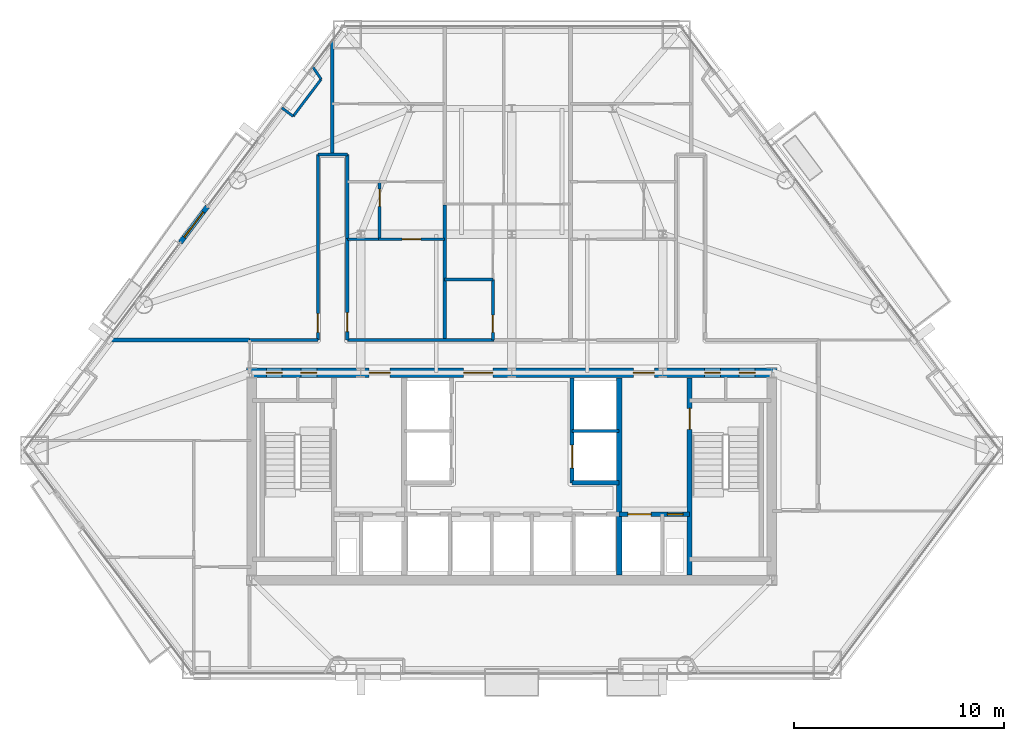
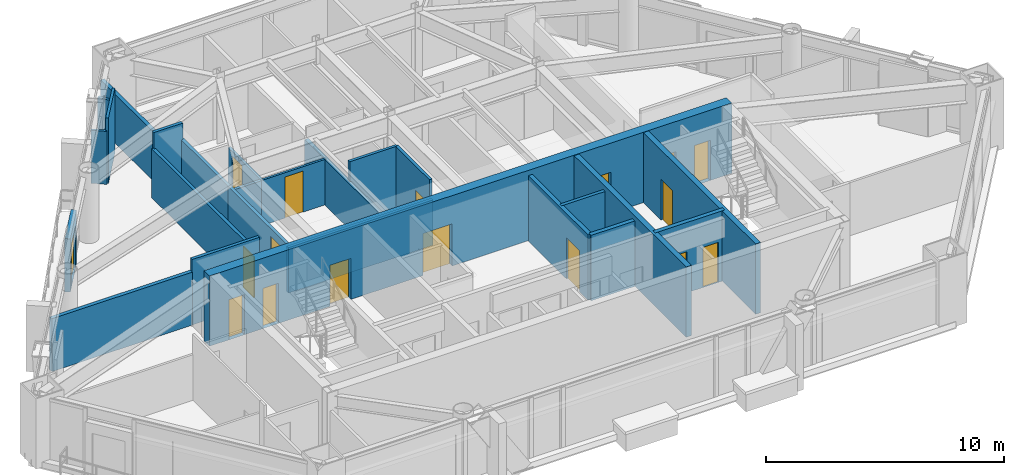
# One storey, part 7 of 11: 25 walls, 17 doors, 17 openings.
"""IFC4 building model written with IfcOpenShell, lengths in metres."""

from ifc_helpers import new_model, si_unit, direction, frame, frame_2d, origin, place, context, subcontext, project, spatial, rectangle, extrude, material, layer, layer_set, type_object, element, fill, save


model = new_model("IFC4")

# Units and contexts
model_context = context("Model", 3, precision=1e-05, world=origin(), true_north=direction((0.0, 1.0)))
body_context = subcontext(model_context, "Body", "Model", "MODEL_VIEW")
ifc_project = project(units=[si_unit("LENGTHUNIT", "METRE"), si_unit("AREAUNIT", "SQUARE_METRE"), si_unit("VOLUMEUNIT", "CUBIC_METRE"), si_unit("PLANEANGLEUNIT", "RADIAN"), si_unit("MASSUNIT", "GRAM", prefix="KILO")], contexts=[model_context])

# Site, building, storey
site_placement = place(None, origin())
site = spatial("IfcSite", under=ifc_project, at=site_placement, CompositionType="ELEMENT")
building_placement = place(site_placement, origin())
building = spatial("IfcBuilding", under=site, at=building_placement, Name="Talgorran Terracotta Tower", CompositionType="ELEMENT")
storey_placement = place(building_placement, frame((0.0, 0.0, 45.89990234375)))
storey = spatial("IfcBuildingStorey", under=building, at=storey_placement, Name="L11", CompositionType="ELEMENT", Elevation=45.89990234375)

# Wall, opening, door
ifc_material_1 = material(Name="Concrete C40/50", Category="concrete")
ifc_layer_1 = layer(ifc_material_1, 0.239990234375, Name="WT_BALCONY_SPAND")
ifc_layer_set_1 = layer_set([ifc_layer_1], Name="Concrete C40/50")
wall_type_1 = type_object("IfcWallType", Name="WT_BALCONY_SPAND", PredefinedType="STANDARD", material=ifc_layer_set_1)
wall_1_placement = place(storey_placement, frame((-14.518310546875, 3.71337890625, -0.014892578125), z_axis=(0.0, 0.0, 1.0), x_axis=(-0.601696267697, -0.79872498486, 0.0)))
wall_1 = element("IfcWall", 1, at=wall_1_placement, inside=storey, type_object=wall_type_1, Name="WL-L11-BALP-BAL-NW", PredefinedType="STANDARD", context=body_context, shape_type="SweptSolid", body=[
    extrude(rectangle(XDim=2.139892578125, YDim=0.239990234375, at=frame_2d((1.06982421875, 0.0))), origin(), (0.0, 0.0, 1.0), 2.728271484375),
])
opening_1_placement = place(wall_1_placement, frame((0.320068359375, 0.0, 0.014892578125)))
opening_1 = element("IfcOpeningElement", 2, at=opening_1_placement, cuts=wall_1, Name="Opening D-BAL-L11-2", PredefinedType="OPENING", context=body_context, shape_type="SweptSolid", body=[
    extrude(rectangle(XDim=1.506, YDim=2.203951171875, at=frame_2d((0.75, 1.10205078125))), frame((0.0, 0.1298828125, 0.0), z_axis=(0.0, -1.0, 0.0), x_axis=(1.0, 0.0, 0.0)), (0.0, 0.0, 1.0), 0.260009765625),
])
ifc_material_2 = material(Name="Thermally Broken Aluminium", Category="aluminium")
door_type_1 = type_object("IfcDoorType", Name="DT_BALC_1500", OperationType="SLIDING_TO_RIGHT", PredefinedType="DOOR", material=ifc_material_2)
door_1_placement = place(opening_1_placement, origin())
door_1 = element("IfcDoor", 3, at=door_1_placement, inside=storey, type_object=door_type_1, Name="DR-L11-BAL-BAL-NW", OperationType="SLIDING_TO_RIGHT", OverallHeight=2.199951171875, OverallWidth=1.5, PredefinedType="DOOR", context=body_context, shape_type="SweptSolid", body=[
    extrude(rectangle(XDim=1.5, YDim=2.199951171875, at=frame_2d((0.75, 1.10009765625))), frame((0.0, 0.02490234375, 0.0), z_axis=(0.0, -1.0, 0.0), x_axis=(1.0, 0.0, 0.0)), (0.0, 0.0, 1.0), 0.050048828125),
])
fill(opening_1, door_1)

# Wall, openings, doors
ifc_material_3 = material(Name="Concrete C50/60", Category="concrete")
ifc_layer_2 = layer(ifc_material_3, 0.199951171875, Name="WT_CORE_200")
ifc_layer_set_2 = layer_set([ifc_layer_2], Name="Concrete C50/60")
wall_type_2 = type_object("IfcWallType", Name="WT_CORE_200", PredefinedType="SOLIDWALL", material=ifc_layer_set_2)
wall_2_placement = place(storey_placement, frame((5.1201171875, -10.949951171875, 0.0), z_axis=(0.0, 0.0, 1.0), x_axis=(1.0, 0.0, 0.0)))
wall_2 = element("IfcWall", 4, at=wall_2_placement, inside=storey, type_object=wall_type_2, Name="WL-L11-CW-H-SBE", PredefinedType="SOLIDWALL", context=body_context, shape_type="SweptSolid", body=[
    extrude(rectangle(XDim=3.35986328125, YDim=0.199951171875, at=frame_2d((1.679931640625, 0.0))), origin(), (0.0, 0.0, 1.0), 3.60009765625),
])
opening_2_placement = place(wall_2_placement, frame((0.419921875, 0.0, 0.0)))
opening_2 = element("IfcOpeningElement", 5, at=opening_2_placement, cuts=wall_2, Name="Opening LD-FFL2", PredefinedType="OPENING", context=body_context, shape_type="SweptSolid", body=[
    extrude(rectangle(XDim=1.10609765625, YDim=2.10409765625, at=frame_2d((0.550048828125, 1.052001953125))), frame((0.0, 0.10986328125, 0.0), z_axis=(0.0, -1.0, 0.0), x_axis=(1.0, 0.0, 0.0)), (0.0, 0.0, 1.0), 0.219970703125),
])
opening_3_placement = place(wall_2_placement, frame((2.300048828125, 0.0, 0.0)))
opening_3 = element("IfcOpeningElement", 6, at=opening_3_placement, cuts=wall_2, Name="Opening DR-RSE", PredefinedType="OPENING", context=body_context, shape_type="SweptSolid", body=[
    extrude(rectangle(XDim=0.756, YDim=2.054048828125, at=frame_2d((0.375, 1.027099609375))), frame((0.0, 0.10986328125, 0.0), z_axis=(0.0, -1.0, 0.0), x_axis=(1.0, 0.0, 0.0)), (0.0, 0.0, 1.0), 0.219970703125),
])
ifc_material_4 = material(Name="Brushed Stainless Steel Grade 304", Category="steel")
door_type_2 = type_object("IfcDoorType", Name="DT_LIFT_LD1100", OperationType="DOUBLE_DOOR_SLIDING", PredefinedType="DOOR", material=ifc_material_4)
door_2_placement = place(opening_2_placement, origin())
door_2 = element("IfcDoor", 7, at=door_2_placement, inside=storey, type_object=door_type_2, Name="L11 Lift Landing Door LD-FFL2", OperationType="DOUBLE_DOOR_SLIDING", OverallHeight=2.10009765625, OverallWidth=1.10009765625, PredefinedType="DOOR", context=body_context, shape_type="SweptSolid", body=[
    extrude(rectangle(XDim=1.10009765625, YDim=2.10009765625, at=frame_2d((0.550048828125, 1.050048828125))), frame((0.0, 0.02490234375, 0.0), z_axis=(0.0, -1.0, 0.0), x_axis=(1.0, 0.0, 0.0)), (0.0, 0.0, 1.0), 0.050048828125),
])
fill(opening_2, door_2)
ifc_material_5 = material(Name="Fire-Rated Pressed Steel", Category="steel")
door_type_3 = type_object("IfcDoorType", Name="DT_RISER_750", OperationType="NOTDEFINED", PredefinedType="DOOR", material=ifc_material_5)
door_3_placement = place(opening_3_placement, origin())
door_3 = element("IfcDoor", 8, at=door_3_placement, inside=storey, type_object=door_type_3, Name="DR-RSE", OperationType="SINGLE_SWING_RIGHT", OverallHeight=2.050048828125, OverallWidth=0.75, PredefinedType="DOOR", context=body_context, shape_type="SweptSolid", body=[
    extrude(rectangle(XDim=0.75, YDim=2.050048828125, at=frame_2d((0.375, 1.02490234375))), frame((0.0, 0.02490234375, 0.0), z_axis=(0.0, -1.0, 0.0), x_axis=(1.0, 0.0, 0.0)), (0.0, 0.0, 1.0), 0.050048828125),
])
fill(opening_3, door_3)

# Wall, opening, door
wall_3_placement = place(storey_placement, frame((2.8798828125, -9.449951171875, 0.0), z_axis=(0.0, 0.0, 1.0), x_axis=(0.0, 1.0, 0.0)))
wall_3 = element("IfcWall", 9, at=wall_3_placement, inside=storey, type_object=wall_type_2, Name="WL-L11-CW-V-E3", PredefinedType="SOLIDWALL", context=body_context, shape_type="SweptSolid", body=[
    extrude(rectangle(XDim=5.0, YDim=0.199951171875, at=frame_2d((2.5, 0.0))), origin(), (0.0, 0.0, 1.0), 3.35009765625),
])
opening_4_placement = place(wall_3_placement, frame((0.699951171875, 0.0, 0.0)))
opening_4 = element("IfcOpeningElement", 10, at=opening_4_placement, cuts=wall_3, Name="Opening LD-PLM1", PredefinedType="OPENING", context=body_context, shape_type="SweptSolid", body=[
    extrude(rectangle(XDim=1.10609765625, YDim=2.10409765625, at=frame_2d((0.550048828125, 1.052001953125))), frame((0.0, 0.10986328125, 0.0), z_axis=(0.0, -1.0, 0.0), x_axis=(1.0, 0.0, 0.0)), (0.0, 0.0, 1.0), 0.219970703125),
])
door_4_placement = place(opening_4_placement, origin())
door_4 = element("IfcDoor", 11, at=door_4_placement, inside=storey, type_object=door_type_2, Name="L11 Lift Landing Door LD-PLM1", OperationType="DOUBLE_DOOR_SLIDING", OverallHeight=2.10009765625, OverallWidth=1.10009765625, PredefinedType="DOOR", context=body_context, shape_type="SweptSolid", body=[
    extrude(rectangle(XDim=1.10009765625, YDim=2.10009765625, at=frame_2d((0.550048828125, 1.050048828125))), frame((0.0, 0.02490234375, 0.0), z_axis=(0.0, -1.0, 0.0), x_axis=(1.0, 0.0, 0.0)), (0.0, 0.0, 1.0), 0.050048828125),
])
fill(opening_4, door_4)

# Wall
wall_4_placement = place(storey_placement, frame((2.8798828125, -9.449951171875, 0.0), z_axis=(0.0, 0.0, 1.0), x_axis=(1.0, 0.0, 0.0)))
element("IfcWall", 12, at=wall_4_placement, inside=storey, type_object=wall_type_2, Name="WL-L11-CW-H-E4", PredefinedType="SOLIDWALL", context=body_context, shape_type="SweptSolid", body=[
    extrude(rectangle(XDim=2.240234375, YDim=0.199951171875, at=frame_2d((1.1201171875, 0.0))), origin(), (0.0, 0.0, 1.0), 3.35009765625),
])

# Wall, opening, door
ifc_layer_3 = layer(ifc_material_3, 0.25, Name="WT_CORE_250")
ifc_layer_set_3 = layer_set([ifc_layer_3], Name="Concrete C50/60")
wall_type_3 = type_object("IfcWallType", Name="WT_CORE_250", PredefinedType="SHEAR", material=ifc_layer_set_3)
wall_5_placement = place(storey_placement, frame((8.47998046875, -13.85009765625, 0.0), z_axis=(0.0, 0.0, 1.0), x_axis=(0.0, 1.0, 0.0)))
wall_5 = element("IfcWall", 13, at=wall_5_placement, inside=storey, type_object=wall_type_3, Name="WL-L11-CW-V-E1", PredefinedType="SHEAR", context=body_context, shape_type="SweptSolid", body=[
    extrude(rectangle(XDim=9.400146484375, YDim=0.25, at=frame_2d((4.7001953125, 0.0))), origin(), (0.0, 0.0, 1.0), 3.60009765625),
])
opening_5_placement = place(wall_5_placement, frame((6.949951171875, 0.0, 0.0)))
opening_5 = element("IfcOpeningElement", 14, at=opening_5_placement, cuts=wall_5, Name="Opening DR-ST02", PredefinedType="OPENING", context=body_context, shape_type="SweptSolid", body=[
    extrude(rectangle(XDim=1.006, YDim=2.10409765625, at=frame_2d((0.5, 1.052001953125))), frame((0.0, 0.135009765625, 0.0), z_axis=(0.0, -1.0, 0.0), x_axis=(1.0, 0.0, 0.0)), (0.0, 0.0, 1.0), 0.27001953125),
])
door_type_4 = type_object("IfcDoorType", Name="DT_FIRE_1000", OperationType="NOTDEFINED", PredefinedType="DOOR", material=ifc_material_5)
door_5_placement = place(opening_5_placement, origin())
door_5 = element("IfcDoor", 15, at=door_5_placement, inside=storey, type_object=door_type_4, Name="DR-ST02", OperationType="SINGLE_SWING_RIGHT", OverallHeight=2.10009765625, OverallWidth=1.0, PredefinedType="DOOR", context=body_context, shape_type="SweptSolid", body=[
    extrude(rectangle(XDim=1.0, YDim=2.10009765625, at=frame_2d((0.5, 1.050048828125))), frame((0.0, 0.02490234375, 0.0), z_axis=(0.0, -1.0, 0.0), x_axis=(1.0, 0.0, 0.0)), (0.0, 0.0, 1.0), 0.050048828125),
])
fill(opening_5, door_5)

# Wall
wall_6_placement = place(storey_placement, frame((5.1201171875, -13.85009765625, 0.0), z_axis=(0.0, 0.0, 1.0), x_axis=(0.0, 1.0, 0.0)))
element("IfcWall", 16, at=wall_6_placement, inside=storey, type_object=wall_type_3, Name="WL-L11-CW-V-E2", PredefinedType="SHEAR", context=body_context, shape_type="SweptSolid", body=[
    extrude(rectangle(XDim=9.400146484375, YDim=0.25, at=frame_2d((4.7001953125, 0.0))), origin(), (0.0, 0.0, 1.0), 3.60009765625),
])

# Wall, openings, doors
ifc_material_6 = material(Name="Concrete C65/80", Category="concrete")
ifc_layer_4 = layer(ifc_material_6, 0.449951171875, Name="WT_CORE_EXT")
ifc_layer_set_4 = layer_set([ifc_layer_4], Name="Concrete C65/80")
wall_type_4 = type_object("IfcWallType", Name="WT_CORE_EXT", PredefinedType="SHEAR", material=ifc_layer_set_4)
wall_7_placement = place(storey_placement, frame((-12.64990234375, -4.199951171875, 0.0), z_axis=(0.0, 0.0, 1.0), x_axis=(1.0, 0.0, 0.0)))
wall_7 = element("IfcWall", 17, at=wall_7_placement, inside=storey, type_object=wall_type_4, Name="WL-L11-CW-OUT-N", PredefinedType="SHEAR", context=body_context, shape_type="SweptSolid", body=[
    extrude(rectangle(XDim=25.2998046875, YDim=0.449951171875, at=frame_2d((12.64990234375, 0.0))), origin(), (0.0, 0.0, 1.0), 3.60009765625),
])
opening_6_placement = place(wall_7_placement, frame((0.949951171875, 0.0, 0.0)))
opening_6 = element("IfcOpeningElement", 18, at=opening_6_placement, cuts=wall_7, Name="Opening DR-CSN1", PredefinedType="OPENING", context=body_context, shape_type="SweptSolid", body=[
    extrude(rectangle(XDim=0.756, YDim=2.054048828125, at=frame_2d((0.375, 1.027099609375))), frame((0.0, 0.23486328125, 0.0), z_axis=(0.0, -1.0, 0.0), x_axis=(1.0, 0.0, 0.0)), (0.0, 0.0, 1.0), 0.469970703125),
])
opening_7_placement = place(wall_7_placement, frame((2.60009765625, 0.0, 0.0)))
opening_7 = element("IfcOpeningElement", 19, at=opening_7_placement, cuts=wall_7, Name="Opening DR-CSN2", PredefinedType="OPENING", context=body_context, shape_type="SweptSolid", body=[
    extrude(rectangle(XDim=0.756, YDim=2.054048828125, at=frame_2d((0.375, 1.027099609375))), frame((0.0, 0.23486328125, 0.0), z_axis=(0.0, -1.0, 0.0), x_axis=(1.0, 0.0, 0.0)), (0.0, 0.0, 1.0), 0.469970703125),
])
opening_8_placement = place(wall_7_placement, frame((21.85009765625, 0.0, 0.0)))
opening_8 = element("IfcOpeningElement", 20, at=opening_8_placement, cuts=wall_7, Name="Opening DR-CSN3", PredefinedType="OPENING", context=body_context, shape_type="SweptSolid", body=[
    extrude(rectangle(XDim=0.756, YDim=2.054048828125, at=frame_2d((0.375, 1.027099609375))), frame((0.0, 0.23486328125, 0.0), z_axis=(0.0, -1.0, 0.0), x_axis=(1.0, 0.0, 0.0)), (0.0, 0.0, 1.0), 0.469970703125),
])
opening_9_placement = place(wall_7_placement, frame((23.5, 0.0, 0.0)))
opening_9 = element("IfcOpeningElement", 21, at=opening_9_placement, cuts=wall_7, Name="Opening DR-CSN4", PredefinedType="OPENING", context=body_context, shape_type="SweptSolid", body=[
    extrude(rectangle(XDim=0.756, YDim=2.054048828125, at=frame_2d((0.375, 1.027099609375))), frame((0.0, 0.23486328125, 0.0), z_axis=(0.0, -1.0, 0.0), x_axis=(1.0, 0.0, 0.0)), (0.0, 0.0, 1.0), 0.469970703125),
])
opening_10_placement = place(wall_7_placement, frame((5.85009765625, 0.0, 0.0)))
opening_10 = element("IfcOpeningElement", 22, at=opening_10_placement, cuts=wall_7, Name="Opening DR-FFLW-N", PredefinedType="OPENING", context=body_context, shape_type="SweptSolid", body=[
    extrude(rectangle(XDim=1.006, YDim=2.10409765625, at=frame_2d((0.5, 1.052001953125))), frame((0.0, 0.23486328125, 0.0), z_axis=(0.0, -1.0, 0.0), x_axis=(1.0, 0.0, 0.0)), (0.0, 0.0, 1.0), 0.469970703125),
])
opening_11_placement = place(wall_7_placement, frame((10.35009765625, 0.0, 0.0)))
opening_11 = element("IfcOpeningElement", 23, at=opening_11_placement, cuts=wall_7, Name="Opening DR-PLL-N", PredefinedType="OPENING", context=body_context, shape_type="SweptSolid", body=[
    extrude(rectangle(XDim=1.40590234375, YDim=2.15390234375, at=frame_2d((0.699951171875, 1.076904296875))), frame((0.0, 0.23486328125, 0.0), z_axis=(0.0, -1.0, 0.0), x_axis=(1.0, 0.0, 0.0)), (0.0, 0.0, 1.0), 0.469970703125),
])
opening_12_placement = place(wall_7_placement, frame((18.449951171875, 0.0, 0.0)))
opening_12 = element("IfcOpeningElement", 24, at=opening_12_placement, cuts=wall_7, Name="Opening DR-FFLE-N", PredefinedType="OPENING", context=body_context, shape_type="SweptSolid", body=[
    extrude(rectangle(XDim=1.006, YDim=2.10409765625, at=frame_2d((0.5, 1.052001953125))), frame((0.0, 0.23486328125, 0.0), z_axis=(0.0, -1.0, 0.0), x_axis=(1.0, 0.0, 0.0)), (0.0, 0.0, 1.0), 0.469970703125),
])
ifc_material_7 = material(Name="Acoustic Glazed Timber", Category="wood")
door_type_5 = type_object("IfcDoorType", Name="DT_DOUBLE_1400", OperationType="DOUBLE_DOOR_SINGLE_SWING", PredefinedType="DOOR", material=ifc_material_7)
door_6_placement = place(opening_11_placement, origin())
door_6 = element("IfcDoor", 25, at=door_6_placement, inside=storey, type_object=door_type_5, Name="DR-PLL-N", OperationType="DOUBLE_DOOR_SINGLE_SWING", OverallHeight=2.14990234375, OverallWidth=1.39990234375, PredefinedType="DOOR", context=body_context, shape_type="SweptSolid", body=[
    extrude(rectangle(XDim=1.39990234375, YDim=2.14990234375, at=frame_2d((0.699951171875, 1.074951171875))), frame((0.0, 0.02490234375, 0.0), z_axis=(0.0, -1.0, 0.0), x_axis=(1.0, 0.0, 0.0)), (0.0, 0.0, 1.0), 0.050048828125),
])
fill(opening_11, door_6)
door_7_placement = place(opening_10_placement, origin())
door_7 = element("IfcDoor", 26, at=door_7_placement, inside=storey, type_object=door_type_4, Name="DR-FFLW-N", OperationType="SINGLE_SWING_LEFT", OverallHeight=2.10009765625, OverallWidth=1.0, PredefinedType="DOOR", context=body_context, shape_type="SweptSolid", body=[
    extrude(rectangle(XDim=1.0, YDim=2.10009765625, at=frame_2d((0.5, 1.050048828125))), frame((0.0, 0.02490234375, 0.0), z_axis=(0.0, -1.0, 0.0), x_axis=(1.0, 0.0, 0.0)), (0.0, 0.0, 1.0), 0.050048828125),
])
fill(opening_10, door_7)
door_8_placement = place(opening_12_placement, origin())
door_8 = element("IfcDoor", 27, at=door_8_placement, inside=storey, type_object=door_type_4, Name="DR-FFLE-N", OperationType="SINGLE_SWING_RIGHT", OverallHeight=2.10009765625, OverallWidth=1.0, PredefinedType="DOOR", context=body_context, shape_type="SweptSolid", body=[
    extrude(rectangle(XDim=1.0, YDim=2.10009765625, at=frame_2d((0.5, 1.050048828125))), frame((0.0, 0.02490234375, 0.0), z_axis=(0.0, -1.0, 0.0), x_axis=(1.0, 0.0, 0.0)), (0.0, 0.0, 1.0), 0.050048828125),
])
fill(opening_12, door_8)
door_9_placement = place(opening_6_placement, origin())
door_9 = element("IfcDoor", 28, at=door_9_placement, inside=storey, type_object=door_type_3, Name="DR-CSN1", OperationType="SINGLE_SWING_LEFT", OverallHeight=2.050048828125, OverallWidth=0.75, PredefinedType="DOOR", context=body_context, shape_type="SweptSolid", body=[
    extrude(rectangle(XDim=0.75, YDim=2.050048828125, at=frame_2d((0.375, 1.02490234375))), frame((0.0, 0.02490234375, 0.0), z_axis=(0.0, -1.0, 0.0), x_axis=(1.0, 0.0, 0.0)), (0.0, 0.0, 1.0), 0.050048828125),
])
fill(opening_6, door_9)
door_10_placement = place(opening_7_placement, origin())
door_10 = element("IfcDoor", 29, at=door_10_placement, inside=storey, type_object=door_type_3, Name="DR-CSN2", OperationType="SINGLE_SWING_RIGHT", OverallHeight=2.050048828125, OverallWidth=0.75, PredefinedType="DOOR", context=body_context, shape_type="SweptSolid", body=[
    extrude(rectangle(XDim=0.75, YDim=2.050048828125, at=frame_2d((0.375, 1.02490234375))), frame((0.0, 0.02490234375, 0.0), z_axis=(0.0, -1.0, 0.0), x_axis=(1.0, 0.0, 0.0)), (0.0, 0.0, 1.0), 0.050048828125),
])
fill(opening_7, door_10)
door_11_placement = place(opening_8_placement, origin())
door_11 = element("IfcDoor", 30, at=door_11_placement, inside=storey, type_object=door_type_3, Name="DR-CSN3", OperationType="SINGLE_SWING_LEFT", OverallHeight=2.050048828125, OverallWidth=0.75, PredefinedType="DOOR", context=body_context, shape_type="SweptSolid", body=[
    extrude(rectangle(XDim=0.75, YDim=2.050048828125, at=frame_2d((0.375, 1.02490234375))), frame((0.0, 0.02490234375, 0.0), z_axis=(0.0, -1.0, 0.0), x_axis=(1.0, 0.0, 0.0)), (0.0, 0.0, 1.0), 0.050048828125),
])
fill(opening_8, door_11)
door_12_placement = place(opening_9_placement, origin())
door_12 = element("IfcDoor", 31, at=door_12_placement, inside=storey, type_object=door_type_3, Name="DR-CSN4", OperationType="SINGLE_SWING_RIGHT", OverallHeight=2.050048828125, OverallWidth=0.75, PredefinedType="DOOR", context=body_context, shape_type="SweptSolid", body=[
    extrude(rectangle(XDim=0.75, YDim=2.050048828125, at=frame_2d((0.375, 1.02490234375))), frame((0.0, 0.02490234375, 0.0), z_axis=(0.0, -1.0, 0.0), x_axis=(1.0, 0.0, 0.0)), (0.0, 0.0, 1.0), 0.050048828125),
])
fill(opening_9, door_12)

# Wall, opening, door
ifc_material_8 = material(Name="Fire-Rated Steel Stud Plasterboard", Category="steel")
ifc_layer_5 = layer(ifc_material_8, 0.14990234375, Name="WT_FIRE_150")
ifc_layer_set_5 = layer_set([ifc_layer_5], Name="Fire-Rated Steel Stud Plasterboard")
wall_type_5 = type_object("IfcWallType", Name="WT_FIRE_150", PredefinedType="PARTITIONING", material=ifc_layer_set_5)
wall_8_placement = place(storey_placement, frame((-9.239990234375, -2.639892578125, 0.0), z_axis=(0.0, 0.0, 1.0), x_axis=(0.0, 1.0, 0.0)))
wall_8 = element("IfcWall", 32, at=wall_8_placement, inside=storey, type_object=wall_type_5, Name="WL-L11-W-L11-R06", PredefinedType="PARTITIONING", context=body_context, shape_type="SweptSolid", body=[
    extrude(rectangle(XDim=8.83984375, YDim=0.14990234375, at=frame_2d((4.419921875, 0.0))), origin(), (0.0, 0.0, 1.0), 2.509033203125),
])
opening_13_placement = place(wall_8_placement, frame((0.359375, 0.0, 0.0)))
opening_13 = element("IfcOpeningElement", 33, at=opening_13_placement, cuts=wall_8, Name="Opening DR-L11-R06", PredefinedType="OPENING", context=body_context, shape_type="SweptSolid", body=[
    extrude(rectangle(XDim=0.90590234375, YDim=2.10409765625, at=frame_2d((0.449951171875, 1.052001953125))), frame((0.0, 0.0849609375, 0.0), z_axis=(0.0, -1.0, 0.0), x_axis=(1.0, 0.0, 0.0)), (0.0, 0.0, 1.0), 0.169921875),
])
ifc_material_9 = material(Name="Fire-Rated Timber Core", Category="wood")
door_type_6 = type_object("IfcDoorType", Name="DT_FIRE_900", OperationType="NOTDEFINED", PredefinedType="DOOR", material=ifc_material_9)
door_13_placement = place(opening_13_placement, origin())
door_13 = element("IfcDoor", 34, at=door_13_placement, inside=storey, type_object=door_type_6, Name="DR-L11-R06", OperationType="SINGLE_SWING_RIGHT", OverallHeight=2.10009765625, OverallWidth=0.89990234375, PredefinedType="DOOR", context=body_context, shape_type="SweptSolid", body=[
    extrude(rectangle(XDim=0.89990234375, YDim=2.10009765625, at=frame_2d((0.449951171875, 1.050048828125))), frame((0.0, 0.02490234375, 0.0), z_axis=(0.0, -1.0, 0.0), x_axis=(1.0, 0.0, 0.0)), (0.0, 0.0, 1.0), 0.050048828125),
])
fill(opening_13, door_13)

wall_9_placement = place(storey_placement, frame((-7.840087890625, -2.639892578125, 0.0), z_axis=(0.0, 0.0, 1.0), x_axis=(0.0, 1.0, 0.0)))
wall_9 = element("IfcWall", 35, at=wall_9_placement, inside=storey, type_object=wall_type_5, Name="WL-L11-W-L11-R08", PredefinedType="PARTITIONING", context=body_context, shape_type="SweptSolid", body=[
    extrude(rectangle(XDim=4.83984375, YDim=0.14990234375, at=frame_2d((2.419921875, 0.0))), origin(), (0.0, 0.0, 1.0), 2.509033203125),
])
opening_14_placement = place(wall_9_placement, frame((0.3984375, 0.0, 0.0)))
opening_14 = element("IfcOpeningElement", 36, at=opening_14_placement, cuts=wall_9, Name="Opening DR-L11-R07", PredefinedType="OPENING", context=body_context, shape_type="SweptSolid", body=[
    extrude(rectangle(XDim=0.90590234375, YDim=2.10409765625, at=frame_2d((0.449951171875, 1.052001953125))), frame((0.0, 0.0849609375, 0.0), z_axis=(0.0, -1.0, 0.0), x_axis=(1.0, 0.0, 0.0)), (0.0, 0.0, 1.0), 0.169921875),
])
door_14_placement = place(opening_14_placement, origin())
door_14 = element("IfcDoor", 37, at=door_14_placement, inside=storey, type_object=door_type_6, Name="DR-L11-R07", OperationType="SINGLE_SWING_LEFT", OverallHeight=2.10009765625, OverallWidth=0.89990234375, PredefinedType="DOOR", context=body_context, shape_type="SweptSolid", body=[
    extrude(rectangle(XDim=0.89990234375, YDim=2.10009765625, at=frame_2d((0.449951171875, 1.050048828125))), frame((0.0, 0.02490234375, 0.0), z_axis=(0.0, -1.0, 0.0), x_axis=(1.0, 0.0, 0.0)), (0.0, 0.0, 1.0), 0.050048828125),
])
fill(opening_14, door_14)

# Walls
wall_10_placement = place(storey_placement, frame((-7.840087890625, -2.639892578125, 0.0), z_axis=(0.0, 0.0, 1.0), x_axis=(1.0, 0.0, 0.0)))
element("IfcWall", 38, at=wall_10_placement, inside=storey, type_object=wall_type_5, Name="WL-L11-W-L11-R09", PredefinedType="PARTITIONING", context=body_context, shape_type="SweptSolid", body=[
    extrude(rectangle(XDim=7.0, YDim=0.14990234375, at=frame_2d((3.5, 0.0))), origin(), (0.0, 0.0, 1.0), 2.3251953125),
])
wall_11_placement = place(storey_placement, frame((-12.5, -2.639892578125, 0.0), z_axis=(0.0, 0.0, 1.0), x_axis=(1.0, 0.0, 0.0)))
element("IfcWall", 39, at=wall_11_placement, inside=storey, type_object=wall_type_5, Name="WL-L11-W-L11-R05", PredefinedType="PARTITIONING", context=body_context, shape_type="SweptSolid", body=[
    extrude(rectangle(XDim=3.260009765625, YDim=0.14990234375, at=frame_2d((1.6298828125, 0.0))), origin(), (0.0, 0.0, 1.0), 3.35009765625),
])
wall_12_placement = place(storey_placement, frame((-7.840087890625, 2.201904296875, 0.0), z_axis=(0.0, 0.0, 1.0), x_axis=(0.0, 1.0, 0.0)))
element("IfcWall", 40, at=wall_12_placement, inside=storey, type_object=wall_type_5, Name="WL-L11-W-L11-R10", PredefinedType="PARTITIONING", context=body_context, shape_type="SweptSolid", body=[
    extrude(rectangle(XDim=3.998046875, YDim=0.14990234375, at=frame_2d((1.9990234375, 0.0))), origin(), (0.0, 0.0, 1.0), 2.509033203125),
])
wall_13_placement = place(storey_placement, frame((-9.239990234375, 6.199951171875, 0.0), z_axis=(0.0, 0.0, 1.0), x_axis=(1.0, 0.0, 0.0)))
element("IfcWall", 41, at=wall_13_placement, inside=storey, type_object=wall_type_5, Name="WL-L11-W-L11-R11", PredefinedType="PARTITIONING", context=body_context, shape_type="SweptSolid", body=[
    extrude(rectangle(XDim=1.39990234375, YDim=0.14990234375, at=frame_2d((0.699951171875, 0.0))), origin(), (0.0, 0.0, 1.0), 3.35009765625),
])
ifc_material_10 = material(Name="Acoustic Stud and Plasterboard")
ifc_layer_6 = layer(ifc_material_10, 0.179931640625, Name="WT_PARTY_200")
ifc_layer_set_6 = layer_set([ifc_layer_6], Name="Acoustic Stud and Plasterboard")
wall_type_6 = type_object("IfcWallType", Name="WT_PARTY_200", PredefinedType="PARTITIONING", material=ifc_layer_set_6)
wall_14_placement = place(storey_placement, frame((-19.3037109375, -2.639892578125, 0.0), z_axis=(0.0, 0.0, 1.0), x_axis=(1.0, 0.0, 0.0)))
element("IfcWall", 42, at=wall_14_placement, inside=storey, type_object=wall_type_6, Name="WL-L11-W-L11-R25", PredefinedType="PARTITIONING", context=body_context, shape_type="SweptSolid", body=[
    extrude(rectangle(XDim=6.8037109375, YDim=0.179931640625, at=frame_2d((3.40185546875, 0.0))), origin(), (0.0, 0.0, 1.0), 2.71337890625),
])
wall_15_placement = place(storey_placement, frame((-8.56005859375, 6.199951171875, 0.0), z_axis=(0.0, 0.0, 1.0), x_axis=(0.0, 1.0, 0.0)))
element("IfcWall", 43, at=wall_15_placement, inside=storey, type_object=wall_type_6, Name="WL-L11-W-L11-R34", PredefinedType="PARTITIONING", context=body_context, shape_type="SweptSolid", body=[
    extrude(rectangle(XDim=5.424560546875, YDim=0.179931640625, at=frame_2d((2.71240234375, 0.0))), origin(), (0.0, 0.0, 1.0), 2.509033203125),
])
wall_16_placement = place(storey_placement, frame((-3.199951171875, -2.639892578125, 0.0), z_axis=(0.0, 0.0, 1.0), x_axis=(0.0, 1.0, 0.0)))
element("IfcWall", 44, at=wall_16_placement, inside=storey, type_object=wall_type_6, Name="WL-L11-W-L11-R37", PredefinedType="PARTITIONING", context=body_context, shape_type="SweptSolid", body=[
    extrude(rectangle(XDim=6.43798828125, YDim=0.179931640625, at=frame_2d((3.218994140625, 0.0))), origin(), (0.0, 0.0, 1.0), 2.3251953125),
])

# Wall, opening, door
ifc_material_11 = material(Name="Lightweight Steel Stud Partition", Category="steel")
ifc_layer_7 = layer(ifc_material_11, 0.10498046875, Name="WT_PART_110")
ifc_layer_set_7 = layer_set([ifc_layer_7], Name="Lightweight Steel Stud Partition")
wall_type_7 = type_object("IfcWallType", Name="WT_PART_110", PredefinedType="PARTITIONING", material=ifc_layer_set_7)
wall_17_placement = place(storey_placement, frame((-6.360107421875, 2.159912109375, 0.0), z_axis=(0.0, 0.0, 1.0), x_axis=(1.0, 0.0, 0.0)))
wall_17 = element("IfcWall", 45, at=wall_17_placement, inside=storey, type_object=wall_type_7, Name="WL-L11-W-L11-R36", PredefinedType="PARTITIONING", context=body_context, shape_type="SweptSolid", body=[
    extrude(rectangle(XDim=3.16015625, YDim=0.10498046875, at=frame_2d((1.580078125, 0.0))), origin(), (0.0, 0.0, 1.0), 2.3251953125),
])
opening_15_placement = place(wall_17_placement, frame((1.139892578125, 0.0, 0.0)))
opening_15 = element("IfcOpeningElement", 46, at=opening_15_placement, cuts=wall_17, Name="Opening DR-L11-R09", PredefinedType="OPENING", context=body_context, shape_type="SweptSolid", body=[
    extrude(rectangle(XDim=0.8858828125, YDim=2.10409765625, at=frame_2d((0.43994140625, 1.052001953125))), frame((0.0, 0.0625, 0.0), z_axis=(0.0, -1.0, 0.0), x_axis=(1.0, 0.0, 0.0)), (0.0, 0.0, 1.0), 0.125),
])
ifc_material_12 = material(Name="Solid-Core Painted Timber", Category="wood")
door_type_7 = type_object("IfcDoorType", Name="DT_INT_880", OperationType="NOTDEFINED", PredefinedType="DOOR", material=ifc_material_12)
door_15_placement = place(opening_15_placement, origin())
door_15 = element("IfcDoor", 47, at=door_15_placement, inside=storey, type_object=door_type_7, Name="DR-L11-R09", OperationType="SINGLE_SWING_LEFT", OverallHeight=2.10009765625, OverallWidth=0.8798828125, PredefinedType="DOOR", context=body_context, shape_type="SweptSolid", body=[
    extrude(rectangle(XDim=0.8798828125, YDim=2.10009765625, at=frame_2d((0.43994140625, 1.050048828125))), frame((0.0, 0.02490234375, 0.0), z_axis=(0.0, -1.0, 0.0), x_axis=(1.0, 0.0, 0.0)), (0.0, 0.0, 1.0), 0.050048828125),
])
fill(opening_15, door_15)

# Walls
ifc_material_13 = material(Name="Insulated Steel Stud Plasterboard", Category="steel")
ifc_layer_8 = layer(ifc_material_13, 0.1201171875, Name="WT_PART_120")
ifc_layer_set_8 = layer_set([ifc_layer_8], Name="Insulated Steel Stud Plasterboard")
wall_type_8 = type_object("IfcWallType", Name="WT_PART_120", PredefinedType="PARTITIONING", material=ifc_layer_set_8)
wall_18_placement = place(storey_placement, frame((-9.089111328125, 9.79150390625, 0.0), z_axis=(0.0, 0.0, 1.0), x_axis=(-0.601604540601, -0.798794076548, 0.0)))
element("IfcWall", 48, at=wall_18_placement, inside=storey, type_object=wall_type_8, Name="WL-L11-BW-L11-15", PredefinedType="PARTITIONING", context=body_context, shape_type="SweptSolid", body=[
    extrude(rectangle(XDim=2.213623046875, YDim=0.1201171875, at=frame_2d((1.10693359375, 0.0))), origin(), (0.0, 0.0, 1.0), 3.35009765625),
])
wall_19_placement = place(storey_placement, frame((-9.4853515625, 10.379150390625, 0.0), z_axis=(0.0, 0.0, 1.0), x_axis=(0.559064577703, -0.82912411493, 0.0)))
element("IfcWall", 49, at=wall_19_placement, inside=storey, type_object=wall_type_8, Name="WL-L11-BW-L11-14", PredefinedType="PARTITIONING", context=body_context, shape_type="SweptSolid", body=[
    extrude(rectangle(XDim=0.708740234375, YDim=0.1201171875, at=frame_2d((0.3544921875, 0.0))), origin(), (0.0, 0.0, 1.0), 2.71337890625),
])
wall_20_placement = place(storey_placement, frame((-10.4208984375, 8.023193359375, 0.0), z_axis=(0.0, 0.0, 1.0), x_axis=(-0.798905778506, 0.601456197133, 0.0)))
element("IfcWall", 50, at=wall_20_placement, inside=storey, type_object=wall_type_8, Name="WL-L11-BW-L11-16", PredefinedType="PARTITIONING", context=body_context, shape_type="SweptSolid", body=[
    extrude(rectangle(XDim=0.670166015625, YDim=0.1201171875, at=frame_2d((0.3349609375, 0.0))), origin(), (0.0, 0.0, 1.0), 2.71337890625),
])

# Wall, opening, door
ifc_material_14 = material(Name="Moisture-Resistant Stud Wall")
ifc_layer_9 = layer(ifc_material_14, 0.135009765625, Name="WT_PART_135")
ifc_layer_set_9 = layer_set([ifc_layer_9], Name="Moisture-Resistant Stud Wall")
wall_type_9 = type_object("IfcWallType", Name="WT_PART_135", PredefinedType="PARTITIONING", material=ifc_layer_set_9)
wall_21_placement = place(storey_placement, frame((-0.89990234375, -2.639892578125, 0.0), z_axis=(0.0, 0.0, 1.0), x_axis=(0.0, 1.0, 0.0)))
wall_21 = element("IfcWall", 51, at=wall_21_placement, inside=storey, type_object=wall_type_9, Name="WL-L11-W-L11-R48", PredefinedType="PARTITIONING", context=body_context, shape_type="SweptSolid", body=[
    extrude(rectangle(XDim=2.8798828125, YDim=0.135009765625, at=frame_2d((1.43994140625, 0.0))), origin(), (0.0, 0.0, 1.0), 3.35009765625),
])
opening_16_placement = place(wall_21_placement, frame((0.357421875, 0.0, 0.0)))
opening_16 = element("IfcOpeningElement", 52, at=opening_16_placement, cuts=wall_21, Name="Opening DR-L11-R12", PredefinedType="OPENING", context=body_context, shape_type="SweptSolid", body=[
    extrude(rectangle(XDim=0.826068359375, YDim=2.10409765625, at=frame_2d((0.41015625, 1.052001953125))), frame((0.0, 0.07763671875, 0.0), z_axis=(0.0, -1.0, 0.0), x_axis=(1.0, 0.0, 0.0)), (0.0, 0.0, 1.0), 0.155029296875),
])
ifc_material_15 = material(Name="Moisture-Resistant Solid Timber", Category="wood")
door_type_8 = type_object("IfcDoorType", Name="DT_INT_820", OperationType="NOTDEFINED", PredefinedType="DOOR", material=ifc_material_15)
door_16_placement = place(opening_16_placement, origin())
door_16 = element("IfcDoor", 53, at=door_16_placement, inside=storey, type_object=door_type_8, Name="DR-L11-R12", OperationType="SINGLE_SWING_RIGHT", OverallHeight=2.10009765625, OverallWidth=0.820068359375, PredefinedType="DOOR", context=body_context, shape_type="SweptSolid", body=[
    extrude(rectangle(XDim=0.820068359375, YDim=2.10009765625, at=frame_2d((0.41015625, 1.050048828125))), frame((0.0, 0.02490234375, 0.0), z_axis=(0.0, -1.0, 0.0), x_axis=(1.0, 0.0, 0.0)), (0.0, 0.0, 1.0), 0.050048828125),
])
fill(opening_16, door_16)

wall_22_placement = place(storey_placement, frame((-6.300048828125, 2.159912109375, 0.0), z_axis=(0.0, 0.0, 1.0), x_axis=(0.0, 1.0, 0.0)))
wall_22 = element("IfcWall", 54, at=wall_22_placement, inside=storey, type_object=wall_type_9, Name="WL-L11-W-L11-R39", PredefinedType="PARTITIONING", context=body_context, shape_type="SweptSolid", body=[
    extrude(rectangle(XDim=2.739990234375, YDim=0.135009765625, at=frame_2d((1.3701171875, 0.0))), origin(), (0.0, 0.0, 1.0), 2.3251953125),
])
opening_17_placement = place(wall_22_placement, frame((1.565673828125, 0.0, 0.0)))
opening_17 = element("IfcOpeningElement", 55, at=opening_17_placement, cuts=wall_22, Name="Opening DR-L11-R08", PredefinedType="OPENING", context=body_context, shape_type="SweptSolid", body=[
    extrude(rectangle(XDim=0.826068359375, YDim=2.10409765625, at=frame_2d((0.41015625, 1.052001953125))), frame((0.0, 0.07763671875, 0.0), z_axis=(0.0, -1.0, 0.0), x_axis=(1.0, 0.0, 0.0)), (0.0, 0.0, 1.0), 0.155029296875),
])
door_17_placement = place(opening_17_placement, origin())
door_17 = element("IfcDoor", 56, at=door_17_placement, inside=storey, type_object=door_type_8, Name="DR-L11-R08", OperationType="SINGLE_SWING_RIGHT", OverallHeight=2.10009765625, OverallWidth=0.820068359375, PredefinedType="DOOR", context=body_context, shape_type="SweptSolid", body=[
    extrude(rectangle(XDim=0.820068359375, YDim=2.10009765625, at=frame_2d((0.41015625, 1.050048828125))), frame((0.0, 0.02490234375, 0.0), z_axis=(0.0, -1.0, 0.0), x_axis=(1.0, 0.0, 0.0)), (0.0, 0.0, 1.0), 0.050048828125),
])
fill(opening_17, door_17)

# Walls
wall_23_placement = place(storey_placement, frame((-3.199951171875, 0.239990234375, 0.0), z_axis=(0.0, 0.0, 1.0), x_axis=(1.0, 0.0, 0.0)))
element("IfcWall", 57, at=wall_23_placement, inside=storey, type_object=wall_type_9, Name="WL-L11-W-L11-R47", PredefinedType="PARTITIONING", context=body_context, shape_type="SweptSolid", body=[
    extrude(rectangle(XDim=2.300048828125, YDim=0.135009765625, at=frame_2d((1.14990234375, 0.0))), origin(), (0.0, 0.0, 1.0), 3.35009765625),
])
wall_24_placement = place(storey_placement, frame((-7.840087890625, 2.159912109375, 0.0), z_axis=(0.0, 0.0, 1.0), x_axis=(1.0, 0.0, 0.0)))
element("IfcWall", 58, at=wall_24_placement, inside=storey, type_object=wall_type_9, Name="WL-L11-W-L11-R35", PredefinedType="PARTITIONING", context=body_context, shape_type="SweptSolid", body=[
    extrude(rectangle(XDim=1.47802734375, YDim=0.135009765625, at=frame_2d((0.739013671875, 0.0))), origin(), (0.0, 0.0, 1.0), 2.3251953125),
])
ifc_material_16 = material(Name="Fire-Rated Shaftwall")
ifc_layer_10 = layer(ifc_material_16, 0.159912109375, Name="WT_PART_150")
ifc_layer_set_10 = layer_set([ifc_layer_10], Name="Fire-Rated Shaftwall")
wall_type_10 = type_object("IfcWallType", Name="WT_PART_150", PredefinedType="PARTITIONING", material=ifc_layer_set_10)
wall_25_placement = place(storey_placement, frame((2.8798828125, -6.97998046875, 0.0), z_axis=(0.0, 0.0, 1.0), x_axis=(1.0, 0.0, 0.0)))
element("IfcWall", 59, at=wall_25_placement, inside=storey, type_object=wall_type_10, Name="WL-L11-CW-PLM-DIV", PredefinedType="PARTITIONING", context=body_context, shape_type="SweptSolid", body=[
    extrude(rectangle(XDim=2.240234375, YDim=0.159912109375, at=frame_2d((1.1201171875, 0.0))), origin(), (0.0, 0.0, 1.0), 3.35009765625),
])

save(model, "model.ifc")
